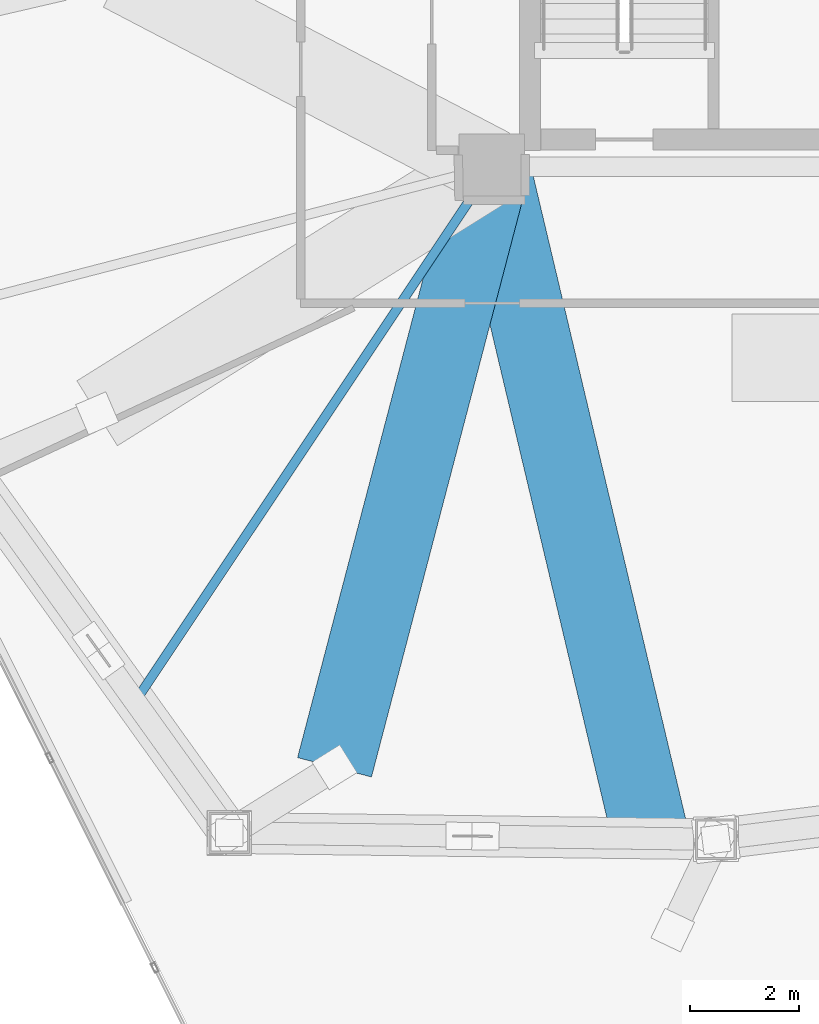
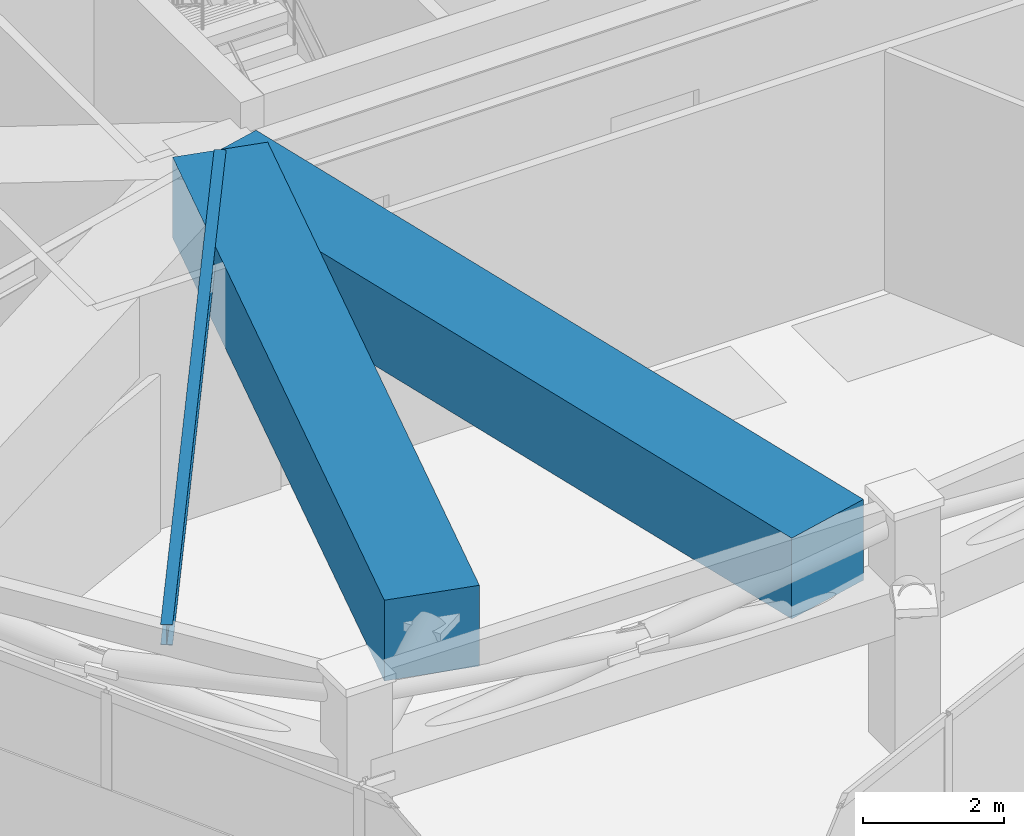
# One storey, part 4 of 21: 3 beams.
"""IFC4 building model written with IfcOpenShell, lengths in metres."""

from ifc_helpers import new_model, si_unit, direction, frame, origin, origin_2d, place, context, subcontext, project, spatial, rectangle, i_section, extrude, material, material_profile, profile_set, type_object, element, save


model = new_model("IFC4")

# Units and contexts
model_context = context("Model", 3, precision=1e-05, world=origin(), true_north=direction((0.0, 1.0)))
body_context = subcontext(model_context, "Body", "Model", "MODEL_VIEW")
ifc_project = project(units=[si_unit("LENGTHUNIT", "METRE"), si_unit("AREAUNIT", "SQUARE_METRE"), si_unit("VOLUMEUNIT", "CUBIC_METRE"), si_unit("PLANEANGLEUNIT", "RADIAN"), si_unit("MASSUNIT", "GRAM", prefix="KILO")], contexts=[model_context])

# Site, building, storey
site_placement = place(None, origin())
site = spatial("IfcSite", under=ifc_project, at=site_placement, CompositionType="ELEMENT")
building_placement = place(site_placement, origin())
building = spatial("IfcBuilding", under=site, at=building_placement, Name="Talar Marvaseh", CompositionType="ELEMENT")
storey_placement = place(building_placement, frame((0.0, 0.0, 162.39990234375)))
storey = spatial("IfcBuildingStorey", under=building, at=storey_placement, Name="L42", CompositionType="ELEMENT", Elevation=162.39990234375)

# Beams
ifc_material_1 = material(Name="Concrete C70/85", Category="concrete")
ifc_material_profile_1 = material_profile(ifc_material_1, rectangle(XDim=1.39990234375, YDim=1.39990234375, at=origin_2d()), Name="RC1400x1400")
ifc_profile_set_1 = profile_set([ifc_material_profile_1], Name="Concrete C70/85")
beam_type_1 = type_object("IfcBeamType", Name="Setback Deep Concrete Transfer Girder RC1400x1400", PredefinedType="BEAM", material=ifc_profile_set_1)
beam_1_placement = place(storey_placement, frame((21.597900390625, 13.27880859375, 3.4501953125), z_axis=(-0.230726957157, 0.973018535919, 0.0), x_axis=(-0.973018535919, -0.230726957157, 0.0)))
element("IfcBeam", 1, at=beam_1_placement, inside=storey, type_object=beam_type_1, Name="L42 Setback Backspan Transfer Girder 7", PredefinedType="BEAM", context=body_context, shape_type="SweptSolid", body=[
    extrude(rectangle(XDim=1.39990234375, YDim=1.39990234375, at=origin_2d()), origin(), (0.0, 0.0, 1.0), 12.56005859375),
])
beam_2_placement = place(storey_placement, frame((15.819091796875, 14.5009765625, 3.4501953125), z_axis=(0.253372787776, 0.967368714821, 0.0), x_axis=(-0.967368714821, 0.253372787776, 0.0)))
element("IfcBeam", 2, at=beam_2_placement, inside=storey, type_object=beam_type_1, Name="L42 Setback Backspan Transfer Girder 8", PredefinedType="BEAM", context=body_context, shape_type="SweptSolid", body=[
    extrude(rectangle(XDim=1.39990234375, YDim=1.39990234375, at=origin_2d()), origin(), (0.0, 0.0, 1.0), 11.3701171875),
])
ifc_material_2 = material(Name="Steel S355", Category="steel")
ifc_material_profile_2 = material_profile(ifc_material_2, i_section(OverallWidth=0.172119140625, OverallDepth=0.35791015625, WebThickness=0.0078125, FlangeThickness=0.01318359375, at=origin_2d()), Name="W360x57")
ifc_profile_set_2 = profile_set([ifc_material_profile_2], Name="Steel S355")
beam_type_2 = type_object("IfcBeamType", Name="Zone 2 Secondary Floor Joist W360x57", PredefinedType="JOIST", material=ifc_profile_set_2)
beam_3_placement = place(storey_placement, frame((12.16650390625, 15.703125, 3.97119140625), z_axis=(0.554829370578, 0.831964163617, 0.0), x_axis=(-0.831964163617, 0.554829370578, 0.0)))
element("IfcBeam", 3, at=beam_3_placement, inside=storey, type_object=beam_type_2, Name="L42 Zone 2 Secondary Floor Joist W360x57", PredefinedType="JOIST", context=body_context, shape_type="SweptSolid", body=[
    extrude(i_section(OverallWidth=0.172119140625, OverallDepth=0.35791015625, WebThickness=0.0078125, FlangeThickness=0.01318359375, at=origin_2d()), origin(), (0.0, 0.0, 1.0), 11.775634765625),
])

save(model, "model.ifc")
